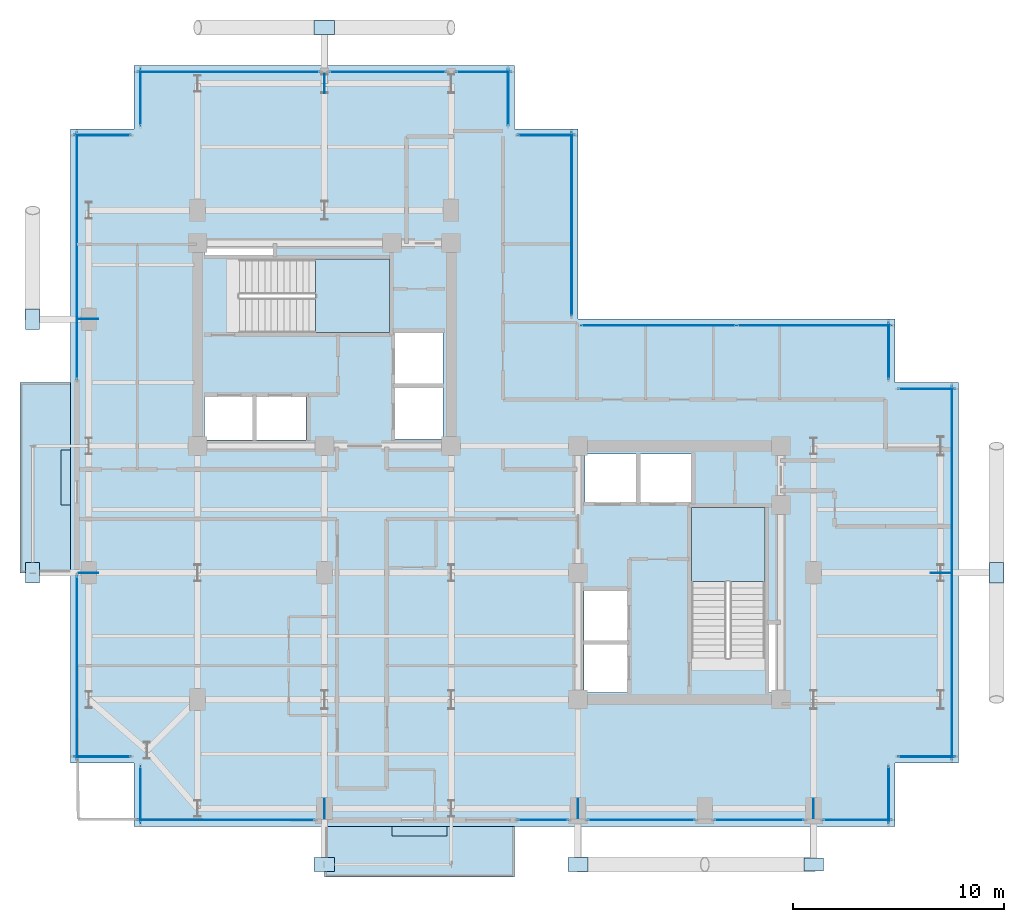
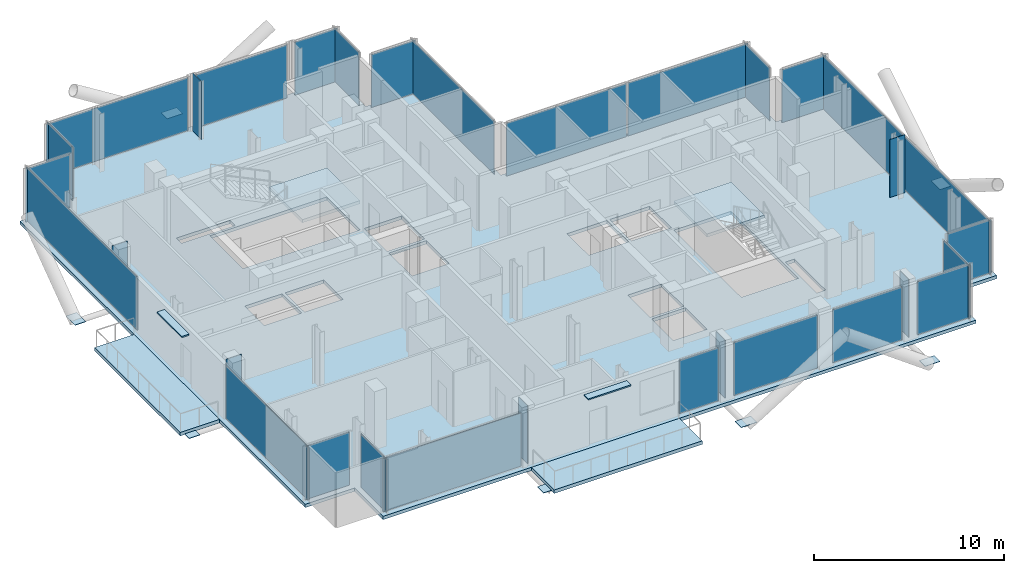
# One storey, part 15 of 21: 40 plates, 5 slabs, 25 elements without a shape of their own.
"""IFC4 building model written with IfcOpenShell, lengths in metres."""

from ifc_helpers import new_model, si_unit, direction, frame, origin, origin_2d, place, context, subcontext, project, spatial, polyline, rectangle, outline, extrude, material, layer, layer_set, type_object, element, aggregate, save


model = new_model("IFC4")

# Units and contexts
model_context = context("Model", 3, precision=1e-05, world=origin(), true_north=direction((0.0, 1.0)))
body_context = subcontext(model_context, "Body", "Model", "MODEL_VIEW")
ifc_project = project(units=[si_unit("LENGTHUNIT", "METRE"), si_unit("AREAUNIT", "SQUARE_METRE"), si_unit("VOLUMEUNIT", "CUBIC_METRE"), si_unit("PLANEANGLEUNIT", "RADIAN"), si_unit("MASSUNIT", "GRAM", prefix="KILO"), si_unit("THERMODYNAMICTEMPERATUREUNIT", "KELVIN"), si_unit("POWERUNIT", "WATT")], contexts=[model_context])

# Site, building, storey
site_placement = place(None, origin())
site = spatial("IfcSite", under=ifc_project, at=site_placement, CompositionType="ELEMENT")
building_placement = place(site_placement, origin())
building = spatial("IfcBuilding", under=site, at=building_placement, Name="Svarakhadi Broadcast Tower", CompositionType="ELEMENT")
storey_placement = place(building_placement, frame((0.0, 0.0, 208.64990234375)))
storey = spatial("IfcBuildingStorey", under=building, at=storey_placement, Name="L51", CompositionType="ELEMENT", Elevation=208.64990234375)

# Curtain wall, plate
ifc_material_1 = material(Name="Anodised Bronze Aluminium AA 6063-T6", Category="aluminium")
ifc_layer_1 = layer(ifc_material_1, 0.18994140625)
ifc_layer_set_1 = layer_set([ifc_layer_1], Name="Anodised Bronze Aluminium AA 6063-T6")
curtain_wall_type = type_object("IfcCurtainWallType", Name="CW_Sys_04", PredefinedType="NOTDEFINED", material=ifc_layer_set_1)
curtain_wall_1_placement = place(storey_placement, origin())
curtain_wall_1 = element("IfcCurtainWall", 1, at=curtain_wall_1_placement, inside=storey, type_object=curtain_wall_type, Name="L51 Unitised Facade Curtain Wall 01", PredefinedType="NOTDEFINED")
ifc_material_2 = material(Name="Double Low-E Laminated Acoustic Glass IGU 36 mm", Category="glass")
ifc_layer_2 = layer(ifc_material_2, 0.033935546875)
ifc_layer_set_2 = layer_set([ifc_layer_2], Name="Double Low-E Laminated Acoustic Glass IGU 36 mm")
plate_type_1 = type_object("IfcPlateType", Name="CW_Sys_04_Pnl", PredefinedType="CURTAIN_PANEL", material=ifc_layer_set_2)
plate_1_placement = place(storey_placement, frame((1.5, 3.300048828125, 0.06494140625), z_axis=(0.0, 0.0, 1.0), x_axis=(-1.0, 0.0, 0.0)))
plate_1 = element("IfcPlate", 2, at=plate_1_placement, type_object=plate_type_1, Name="CW-04 panel 1.1", PredefinedType="CURTAIN_PANEL", context=body_context, shape_type="SweptSolid", body=[
    extrude(rectangle(XDim=2.679931640625, YDim=0.033935546875, at=origin_2d()), origin(), (0.0, 0.0, 1.0), 3.409912109375),
])
aggregate(curtain_wall_1, [plate_1])

curtain_wall_2_placement = place(storey_placement, origin())
curtain_wall_2 = element("IfcCurtainWall", 3, at=curtain_wall_2_placement, inside=storey, type_object=curtain_wall_type, Name="L51 West Curtain Wall 02", PredefinedType="NOTDEFINED")
plate_2_placement = place(storey_placement, frame((0.300048828125, 7.5, 0.06494140625), z_axis=(0.0, 0.0, 1.0), x_axis=(0.0, 1.0, 0.0)))
plate_2 = element("IfcPlate", 4, at=plate_2_placement, type_object=plate_type_1, Name="CW-04 panel 1.1", PredefinedType="CURTAIN_PANEL", context=body_context, shape_type="SweptSolid", body=[
    extrude(rectangle(XDim=8.679931640625, YDim=0.033935546875, at=origin_2d()), origin(), (0.0, 0.0, 1.0), 3.409912109375),
])
aggregate(curtain_wall_2, [plate_2])

curtain_wall_3_placement = place(storey_placement, origin())
curtain_wall_3 = element("IfcCurtainWall", 5, at=curtain_wall_3_placement, inside=storey, type_object=curtain_wall_type, Name="L51 West Curtain Wall 03", PredefinedType="NOTDEFINED")
plate_3_placement = place(storey_placement, frame((0.300048828125, 27.0, 0.06494140625), z_axis=(0.0, 0.0, 1.0), x_axis=(0.0, 1.0, 0.0)))
plate_3 = element("IfcPlate", 6, at=plate_3_placement, type_object=plate_type_1, Name="CW-04 panel 1.1", PredefinedType="CURTAIN_PANEL", context=body_context, shape_type="SweptSolid", body=[
    extrude(rectangle(XDim=11.679931640625, YDim=0.033935546875, at=origin_2d()), origin(), (0.0, 0.0, 1.0), 3.409912109375),
])
aggregate(curtain_wall_3, [plate_3])

curtain_wall_4_placement = place(storey_placement, origin())
curtain_wall_4 = element("IfcCurtainWall", 7, at=curtain_wall_4_placement, inside=storey, type_object=curtain_wall_type, Name="L51 Unitised Facade Curtain Wall 04", PredefinedType="NOTDEFINED")
plate_4_placement = place(storey_placement, frame((1.5, 32.699951171875, 0.06494140625), z_axis=(0.0, 0.0, 1.0), x_axis=(1.0, 0.0, 0.0)))
plate_4 = element("IfcPlate", 8, at=plate_4_placement, type_object=plate_type_1, Name="CW-04 panel 1.1", PredefinedType="CURTAIN_PANEL", context=body_context, shape_type="SweptSolid", body=[
    extrude(rectangle(XDim=2.679931640625, YDim=0.033935546875, at=origin_2d()), origin(), (0.0, 0.0, 1.0), 3.409912109375),
])
aggregate(curtain_wall_4, [plate_4])

curtain_wall_5_placement = place(storey_placement, origin())
curtain_wall_5 = element("IfcCurtainWall", 9, at=curtain_wall_5_placement, inside=storey, type_object=curtain_wall_type, Name="L51 Unitised Facade Curtain Wall 05", PredefinedType="NOTDEFINED")
plate_5_placement = place(storey_placement, frame((3.300048828125, 34.5, 0.06494140625), z_axis=(0.0, 0.0, 1.0), x_axis=(0.0, 1.0, 0.0)))
plate_5 = element("IfcPlate", 10, at=plate_5_placement, type_object=plate_type_1, Name="CW-04 panel 1.1", PredefinedType="CURTAIN_PANEL", context=body_context, shape_type="SweptSolid", body=[
    extrude(rectangle(XDim=2.679931640625, YDim=0.033935546875, at=origin_2d()), origin(), (0.0, 0.0, 1.0), 3.409912109375),
])
aggregate(curtain_wall_5, [plate_5])

curtain_wall_6_placement = place(storey_placement, origin())
curtain_wall_6 = element("IfcCurtainWall", 11, at=curtain_wall_6_placement, inside=storey, type_object=curtain_wall_type, Name="L51 Unitised Facade Curtain Wall 06 Bay 1", PredefinedType="NOTDEFINED")
plate_6_placement = place(storey_placement, frame((7.4599609375, 35.699951171875, 0.06494140625), z_axis=(0.0, 0.0, 1.0), x_axis=(1.0, 0.0, 0.0)))
plate_6 = element("IfcPlate", 12, at=plate_6_placement, type_object=plate_type_1, Name="CW-04 panel 1.1", PredefinedType="CURTAIN_PANEL", context=body_context, shape_type="SweptSolid", body=[
    extrude(rectangle(XDim=8.60009765625, YDim=0.033935546875, at=origin_2d()), origin(), (0.0, 0.0, 1.0), 3.409912109375),
])
aggregate(curtain_wall_6, [plate_6])

curtain_wall_7_placement = place(storey_placement, origin())
curtain_wall_7 = element("IfcCurtainWall", 13, at=curtain_wall_7_placement, inside=storey, type_object=curtain_wall_type, Name="L51 Unitised Facade Curtain Wall 06 Bay 2", PredefinedType="NOTDEFINED")
plate_7_placement = place(storey_placement, frame((15.0, 35.699951171875, 0.06494140625), z_axis=(0.0, 0.0, 1.0), x_axis=(1.0, 0.0, 0.0)))
plate_7 = element("IfcPlate", 14, at=plate_7_placement, type_object=plate_type_1, Name="CW-04 panel 1.1", PredefinedType="CURTAIN_PANEL", context=body_context, shape_type="SweptSolid", body=[
    extrude(rectangle(XDim=5.52001953125, YDim=0.033935546875, at=origin_2d()), origin(), (0.0, 0.0, 1.0), 3.409912109375),
])
aggregate(curtain_wall_7, [plate_7])

curtain_wall_8_placement = place(storey_placement, origin())
curtain_wall_8 = element("IfcCurtainWall", 15, at=curtain_wall_8_placement, inside=storey, type_object=curtain_wall_type, Name="L51 Unitised Facade Curtain Wall 06 Bay 3", PredefinedType="NOTDEFINED")
plate_8_placement = place(storey_placement, frame((19.5400390625, 35.699951171875, 0.06494140625), z_axis=(0.0, 0.0, 1.0), x_axis=(1.0, 0.0, 0.0)))
plate_8 = element("IfcPlate", 16, at=plate_8_placement, type_object=plate_type_1, Name="CW-04 panel 1.1", PredefinedType="CURTAIN_PANEL", context=body_context, shape_type="SweptSolid", body=[
    extrude(rectangle(XDim=2.60009765625, YDim=0.033935546875, at=origin_2d()), origin(), (0.0, 0.0, 1.0), 3.409912109375),
])
aggregate(curtain_wall_8, [plate_8])

curtain_wall_9_placement = place(storey_placement, origin())
curtain_wall_9 = element("IfcCurtainWall", 17, at=curtain_wall_9_placement, inside=storey, type_object=curtain_wall_type, Name="L51 Unitised Facade Curtain Wall 07", PredefinedType="NOTDEFINED")
plate_9_placement = place(storey_placement, frame((20.699951171875, 34.5, 0.06494140625), z_axis=(0.0, 0.0, 1.0), x_axis=(0.0, -1.0, 0.0)))
plate_9 = element("IfcPlate", 18, at=plate_9_placement, type_object=plate_type_1, Name="CW-04 panel 1.1", PredefinedType="CURTAIN_PANEL", context=body_context, shape_type="SweptSolid", body=[
    extrude(rectangle(XDim=2.679931640625, YDim=0.033935546875, at=origin_2d()), origin(), (0.0, 0.0, 1.0), 3.409912109375),
])
aggregate(curtain_wall_9, [plate_9])

curtain_wall_10_placement = place(storey_placement, origin())
curtain_wall_10 = element("IfcCurtainWall", 19, at=curtain_wall_10_placement, inside=storey, type_object=curtain_wall_type, Name="L51 Unitised Facade Curtain Wall 08", PredefinedType="NOTDEFINED")
plate_10_placement = place(storey_placement, frame((22.5, 32.699951171875, 0.06494140625), z_axis=(0.0, 0.0, 1.0), x_axis=(1.0, 0.0, 0.0)))
plate_10 = element("IfcPlate", 20, at=plate_10_placement, type_object=plate_type_1, Name="CW-04 panel 1.1", PredefinedType="CURTAIN_PANEL", context=body_context, shape_type="SweptSolid", body=[
    extrude(rectangle(XDim=2.679931640625, YDim=0.033935546875, at=origin_2d()), origin(), (0.0, 0.0, 1.0), 3.409912109375),
])
aggregate(curtain_wall_10, [plate_10])

curtain_wall_11_placement = place(storey_placement, origin())
curtain_wall_11 = element("IfcCurtainWall", 21, at=curtain_wall_11_placement, inside=storey, type_object=curtain_wall_type, Name="L51 Unitised Facade Curtain Wall 09", PredefinedType="NOTDEFINED")
plate_11_placement = place(storey_placement, frame((23.699951171875, 28.5, 0.06494140625), z_axis=(0.0, 0.0, 1.0), x_axis=(0.0, -1.0, 0.0)))
plate_11 = element("IfcPlate", 22, at=plate_11_placement, type_object=plate_type_1, Name="CW-04 panel 1.1", PredefinedType="CURTAIN_PANEL", context=body_context, shape_type="SweptSolid", body=[
    extrude(rectangle(XDim=8.679931640625, YDim=0.033935546875, at=origin_2d()), origin(), (0.0, 0.0, 1.0), 3.409912109375),
])
aggregate(curtain_wall_11, [plate_11])

# Curtain wall, plates
curtain_wall_12_placement = place(storey_placement, origin())
curtain_wall_12 = element("IfcCurtainWall", 23, at=curtain_wall_12_placement, inside=storey, type_object=curtain_wall_type, Name="L51 Unitised Facade Curtain Wall 10", PredefinedType="NOTDEFINED")
plate_12_placement = place(storey_placement, frame((27.8125, 23.699951171875, 0.06494140625), z_axis=(0.0, 0.0, 1.0), x_axis=(1.0, 0.0, 0.0)))
plate_12 = element("IfcPlate", 24, at=plate_12_placement, type_object=plate_type_1, Name="CW-04 panel 1.1", PredefinedType="CURTAIN_PANEL", context=body_context, shape_type="SweptSolid", body=[
    extrude(rectangle(XDim=7.304931640625, YDim=0.033935546875, at=origin_2d()), origin(), (0.0, 0.0, 1.0), 3.409912109375),
])
plate_13_placement = place(storey_placement, frame((35.1875, 23.699951171875, 0.06494140625), z_axis=(0.0, 0.0, 1.0), x_axis=(1.0, 0.0, 0.0)))
plate_13 = element("IfcPlate", 25, at=plate_13_placement, type_object=plate_type_1, Name="CW-04 panel 2.1", PredefinedType="CURTAIN_PANEL", context=body_context, shape_type="SweptSolid", body=[
    extrude(rectangle(XDim=7.304931640625, YDim=0.033935546875, at=origin_2d()), origin(), (0.0, 0.0, 1.0), 3.409912109375),
])
aggregate(curtain_wall_12, [plate_12, plate_13])

# Curtain wall, plate
curtain_wall_13_placement = place(storey_placement, origin())
curtain_wall_13 = element("IfcCurtainWall", 26, at=curtain_wall_13_placement, inside=storey, type_object=curtain_wall_type, Name="L51 Unitised Facade Curtain Wall 11", PredefinedType="NOTDEFINED")
plate_14_placement = place(storey_placement, frame((38.699951171875, 22.5, 0.06494140625), z_axis=(0.0, 0.0, 1.0), x_axis=(0.0, -1.0, 0.0)))
plate_14 = element("IfcPlate", 27, at=plate_14_placement, type_object=plate_type_1, Name="CW-04 panel 1.1", PredefinedType="CURTAIN_PANEL", context=body_context, shape_type="SweptSolid", body=[
    extrude(rectangle(XDim=2.679931640625, YDim=0.033935546875, at=origin_2d()), origin(), (0.0, 0.0, 1.0), 3.409912109375),
])
aggregate(curtain_wall_13, [plate_14])

curtain_wall_14_placement = place(storey_placement, origin())
curtain_wall_14 = element("IfcCurtainWall", 28, at=curtain_wall_14_placement, inside=storey, type_object=curtain_wall_type, Name="L51 Unitised Facade Curtain Wall 12", PredefinedType="NOTDEFINED")
plate_15_placement = place(storey_placement, frame((40.5, 20.699951171875, 0.06494140625), z_axis=(0.0, 0.0, 1.0), x_axis=(1.0, 0.0, 0.0)))
plate_15 = element("IfcPlate", 29, at=plate_15_placement, type_object=plate_type_1, Name="CW-04 panel 1.1", PredefinedType="CURTAIN_PANEL", context=body_context, shape_type="SweptSolid", body=[
    extrude(rectangle(XDim=2.679931640625, YDim=0.033935546875, at=origin_2d()), origin(), (0.0, 0.0, 1.0), 3.409912109375),
])
aggregate(curtain_wall_14, [plate_15])

curtain_wall_15_placement = place(storey_placement, origin())
curtain_wall_15 = element("IfcCurtainWall", 30, at=curtain_wall_15_placement, inside=storey, type_object=curtain_wall_type, Name="L51 Unitised Facade Curtain Wall 13", PredefinedType="NOTDEFINED")
plate_16_placement = place(storey_placement, frame((41.699951171875, 12.0, 0.06494140625), z_axis=(0.0, 0.0, 1.0), x_axis=(0.0, -1.0, 0.0)))
plate_16 = element("IfcPlate", 31, at=plate_16_placement, type_object=plate_type_1, Name="CW-04 panel 1.1", PredefinedType="CURTAIN_PANEL", context=body_context, shape_type="SweptSolid", body=[
    extrude(rectangle(XDim=17.679931640625, YDim=0.033935546875, at=origin_2d()), origin(), (0.0, 0.0, 1.0), 3.409912109375),
])
aggregate(curtain_wall_15, [plate_16])

curtain_wall_16_placement = place(storey_placement, origin())
curtain_wall_16 = element("IfcCurtainWall", 32, at=curtain_wall_16_placement, inside=storey, type_object=curtain_wall_type, Name="L51 Unitised Facade Curtain Wall 14", PredefinedType="NOTDEFINED")
plate_17_placement = place(storey_placement, frame((40.5, 3.300048828125, 0.06494140625), z_axis=(0.0, 0.0, 1.0), x_axis=(-1.0, 0.0, 0.0)))
plate_17 = element("IfcPlate", 33, at=plate_17_placement, type_object=plate_type_1, Name="CW-04 panel 1.1", PredefinedType="CURTAIN_PANEL", context=body_context, shape_type="SweptSolid", body=[
    extrude(rectangle(XDim=2.679931640625, YDim=0.033935546875, at=origin_2d()), origin(), (0.0, 0.0, 1.0), 3.409912109375),
])
aggregate(curtain_wall_16, [plate_17])

curtain_wall_17_placement = place(storey_placement, origin())
curtain_wall_17 = element("IfcCurtainWall", 34, at=curtain_wall_17_placement, inside=storey, type_object=curtain_wall_type, Name="L51 Unitised Facade Curtain Wall 15", PredefinedType="NOTDEFINED")
plate_18_placement = place(storey_placement, frame((38.699951171875, 1.5, 0.06494140625), z_axis=(0.0, 0.0, 1.0), x_axis=(0.0, -1.0, 0.0)))
plate_18 = element("IfcPlate", 35, at=plate_18_placement, type_object=plate_type_1, Name="CW-04 panel 1.1", PredefinedType="CURTAIN_PANEL", context=body_context, shape_type="SweptSolid", body=[
    extrude(rectangle(XDim=2.679931640625, YDim=0.033935546875, at=origin_2d()), origin(), (0.0, 0.0, 1.0), 3.409912109375),
])
aggregate(curtain_wall_17, [plate_18])

curtain_wall_18_placement = place(storey_placement, origin())
curtain_wall_18 = element("IfcCurtainWall", 36, at=curtain_wall_18_placement, inside=storey, type_object=curtain_wall_type, Name="L51 South Curtain Wall 16 Bay 1", PredefinedType="NOTDEFINED")
plate_19_placement = place(storey_placement, frame((37.2275390625, 0.300048828125, 0.06494140625), z_axis=(0.0, 0.0, 1.0), x_axis=(-1.0, 0.0, 0.0)))
plate_19 = element("IfcPlate", 37, at=plate_19_placement, type_object=plate_type_1, Name="CW-04 panel 1.1", PredefinedType="CURTAIN_PANEL", context=body_context, shape_type="SweptSolid", body=[
    extrude(rectangle(XDim=3.22509765625, YDim=0.033935546875, at=origin_2d()), origin(), (0.0, 0.0, 1.0), 3.409912109375),
])
aggregate(curtain_wall_18, [plate_19])

curtain_wall_19_placement = place(storey_placement, origin())
curtain_wall_19 = element("IfcCurtainWall", 38, at=curtain_wall_19_placement, inside=storey, type_object=curtain_wall_type, Name="L51 South Curtain Wall 16 Bay 2", PredefinedType="NOTDEFINED")
plate_20_placement = place(storey_placement, frame((32.574951171875, 0.300048828125, 0.06494140625), z_axis=(0.0, 0.0, 1.0), x_axis=(-1.0, 0.0, 0.0)))
plate_20 = element("IfcPlate", 39, at=plate_20_placement, type_object=plate_type_1, Name="CW-04 panel 1.1", PredefinedType="CURTAIN_PANEL", context=body_context, shape_type="SweptSolid", body=[
    extrude(rectangle(XDim=4.219970703125, YDim=0.033935546875, at=origin_2d()), origin(), (0.0, 0.0, 1.0), 3.409912109375),
])
aggregate(curtain_wall_19, [plate_20])

curtain_wall_20_placement = place(storey_placement, origin())
curtain_wall_20 = element("IfcCurtainWall", 40, at=curtain_wall_20_placement, inside=storey, type_object=curtain_wall_type, Name="L51 South Curtain Wall 16 Bay 3", PredefinedType="NOTDEFINED")
plate_21_placement = place(storey_placement, frame((27.0, 0.300048828125, 0.06494140625), z_axis=(0.0, 0.0, 1.0), x_axis=(-1.0, 0.0, 0.0)))
plate_21 = element("IfcPlate", 41, at=plate_21_placement, type_object=plate_type_1, Name="CW-04 panel 1.1", PredefinedType="CURTAIN_PANEL", context=body_context, shape_type="SweptSolid", body=[
    extrude(rectangle(XDim=5.070068359375, YDim=0.033935546875, at=origin_2d()), origin(), (0.0, 0.0, 1.0), 3.409912109375),
])
aggregate(curtain_wall_20, [plate_21])

curtain_wall_21_placement = place(storey_placement, origin())
curtain_wall_21 = element("IfcCurtainWall", 42, at=curtain_wall_21_placement, inside=storey, type_object=curtain_wall_type, Name="L51 South Curtain Wall 16 Bay 4", PredefinedType="NOTDEFINED")
plate_22_placement = place(storey_placement, frame((22.347412109375, 0.300048828125, 0.06494140625), z_axis=(0.0, 0.0, 1.0), x_axis=(-1.0, 0.0, 0.0)))
plate_22 = element("IfcPlate", 43, at=plate_22_placement, type_object=plate_type_1, Name="CW-04 panel 1.1", PredefinedType="CURTAIN_PANEL", context=body_context, shape_type="SweptSolid", body=[
    extrude(rectangle(XDim=2.375, YDim=0.033935546875, at=origin_2d()), origin(), (0.0, 0.0, 1.0), 3.409912109375),
])
aggregate(curtain_wall_21, [plate_22])

curtain_wall_22_placement = place(storey_placement, origin())
curtain_wall_22 = element("IfcCurtainWall", 44, at=curtain_wall_22_placement, inside=storey, type_object=curtain_wall_type, Name="L51 South Curtain Wall 17", PredefinedType="NOTDEFINED")
plate_23_placement = place(storey_placement, frame((7.347412109375, 0.300048828125, 0.06494140625), z_axis=(0.0, 0.0, 1.0), x_axis=(-1.0, 0.0, 0.0)))
plate_23 = element("IfcPlate", 45, at=plate_23_placement, type_object=plate_type_1, Name="CW-04 panel 1.1", PredefinedType="CURTAIN_PANEL", context=body_context, shape_type="SweptSolid", body=[
    extrude(rectangle(XDim=8.375, YDim=0.033935546875, at=origin_2d()), origin(), (0.0, 0.0, 1.0), 3.409912109375),
])
aggregate(curtain_wall_22, [plate_23])

curtain_wall_23_placement = place(storey_placement, origin())
curtain_wall_23 = element("IfcCurtainWall", 46, at=curtain_wall_23_placement, inside=storey, type_object=curtain_wall_type, Name="L51 Unitised Facade Curtain Wall 18", PredefinedType="NOTDEFINED")
plate_24_placement = place(storey_placement, frame((3.300048828125, 1.5, 0.06494140625), z_axis=(0.0, 0.0, 1.0), x_axis=(0.0, 1.0, 0.0)))
plate_24 = element("IfcPlate", 47, at=plate_24_placement, type_object=plate_type_1, Name="CW-04 panel 1.1", PredefinedType="CURTAIN_PANEL", context=body_context, shape_type="SweptSolid", body=[
    extrude(rectangle(XDim=2.679931640625, YDim=0.033935546875, at=origin_2d()), origin(), (0.0, 0.0, 1.0), 3.409912109375),
])
aggregate(curtain_wall_23, [plate_24])

# Plates
ifc_material_3 = material(Name="Steel S460ML (IS 2062 E450BR)", Category="steel")
ifc_layer_3 = layer(ifc_material_3, 0.028076171875)
ifc_layer_set_3 = layer_set([ifc_layer_3], Name="Steel S460ML (IS 2062 E450BR)")
plate_type_2 = type_object("IfcPlateType", Name="Node_Gusset_N03", PredefinedType="SHEET", material=ifc_layer_set_3)
for number, where, z_axis, x_axis, name in (
    (48, (12.0, -1.800048828125, -0.2099609375), (0.0, 0.0, 1.0), (1.0, 0.0, 0.0), "L51 Exoskeleton Gusset Node Plate S01"),
    (49, (24.0, -1.800048828125, -0.2099609375), (0.0, 0.0, 1.0), (1.0, 0.0, 0.0), "L51 Exoskeleton Gusset Node Plate S02"),
    (50, (-1.800048828125, 12.0, -0.2099609375), (0.0, 0.0, 1.0), (0.0, 1.0, 0.0), "L51 Exoskeleton Gusset Node Plate W04"),
    (51, (-1.800048828125, 24.0, -0.2099609375), (0.0, 0.0, 1.0), (0.0, 1.0, 0.0), "L51 Exoskeleton Gusset Node Plate W05"),
    (52, (43.800048828125, 12.0, -0.2099609375), (0.0, 0.0, 1.0), (0.0, 1.0, 0.0), "L51 Exoskeleton Gusset Node Plate E06"),
    (53, (12.0, 37.800048828125, -0.2099609375), (0.0, 0.0, 1.0), (1.0, 0.0, 0.0), "L51 Exoskeleton Gusset Node Plate N07"),
):
    element("IfcPlate", number, at=place(storey_placement, frame(where, z_axis=z_axis, x_axis=x_axis)), inside=storey, type_object=plate_type_2, Name=name, PredefinedType="SHEET", context=body_context, shape_type="SweptSolid", body=[
        extrude(rectangle(XDim=0.9599609375, YDim=0.659912109375, at=origin_2d()), origin(), (0.0, 0.0, 1.0), 0.028076171875),
    ])
ifc_layer_4 = layer(ifc_material_3, 0.02587890625)
ifc_layer_set_4 = layer_set([ifc_layer_4], Name="Steel S460ML (IS 2062 E450BR)")
plate_type_3 = type_object("IfcPlateType", Name="Node_Gusset_N07", PredefinedType="SHEET", material=ifc_layer_set_4)
plate_25_placement = place(storey_placement, frame((35.14990234375, -1.800048828125, -0.2099609375), z_axis=(0.0, 0.0, 1.0), x_axis=(1.0, 0.0, 0.0)))
element("IfcPlate", 54, at=plate_25_placement, inside=storey, type_object=plate_type_3, Name="L51 Exoskeleton Gusset Node Plate S03", PredefinedType="SHEET", context=body_context, shape_type="SweptSolid", body=[
    extrude(rectangle(XDim=0.919921875, YDim=0.6201171875, at=origin_2d()), origin(), (0.0, 0.0, 1.0), 0.02587890625),
])
for number, where, z_axis, x_axis, name in (
    (55, (12.0, 0.85009765625, -0.57177734375), (0.0, 0.0, 1.0), (0.0, 1.0, 0.0), "L51 Brace End Connection Gusset Plate N-07-E0417"),
    (56, (24.0, 0.85009765625, -0.57177734375), (0.0, 0.0, 1.0), (0.0, 1.0, 0.0), "L51 Brace End Connection Gusset Plate N-07-E0418"),
    (57, (35.14990234375, 0.85009765625, -0.57177734375), (0.0, 0.0, 1.0), (0.0, 1.0, 0.0), "L51 Brace End Connection Gusset Plate N-07-E0419"),
    (58, (0.85009765625, 12.0, -0.57177734375), (0.0, 0.0, 1.0), (1.0, 0.0, 0.0), "L51 Brace End Connection Gusset Plate N-07-E0420"),
    (59, (0.85009765625, 24.0, -0.57177734375), (0.0, 0.0, 1.0), (1.0, 0.0, 0.0), "L51 Brace End Connection Gusset Plate N-07-E0421"),
    (60, (41.14990234375, 12.0, -0.57177734375), (0.0, 0.0, 1.0), (1.0, 0.0, 0.0), "L51 Brace End Connection Gusset Plate N-07-E0422"),
    (61, (12.0, 35.14990234375, -0.57177734375), (0.0, 0.0, 1.0), (0.0, 1.0, 0.0), "L51 Brace End Connection Gusset Plate N-07-E0423"),
):
    element("IfcPlate", number, at=place(storey_placement, frame(where, z_axis=z_axis, x_axis=x_axis)), inside=storey, type_object=plate_type_3, Name=name, PredefinedType="SHEET", context=body_context, shape_type="SweptSolid", body=[
        extrude(rectangle(XDim=0.919921875, YDim=0.02587890625, at=origin_2d()), origin(), (0.0, 0.0, 1.0), 4.300048828125),
    ])

# Slab
ifc_material_4 = material(Name="Concrete C40/50 (IS 456 M50)", Category="concrete")
ifc_layer_5 = layer(ifc_material_4, 0.2099609375)
ifc_layer_set_5 = layer_set([ifc_layer_5], Name="Concrete C40/50 (IS 456 M50)")
slab_type_1 = type_object("IfcSlabType", Name="Slab_Floor_210", PredefinedType="FLOOR", material=ifc_layer_set_5)
slab_1_placement = place(storey_placement, frame((0.0, 0.0, -0.2099609375)))
element("IfcSlab", 62, at=slab_1_placement, inside=storey, type_object=slab_type_1, Name="L51 Structural Floor Slab", PredefinedType="FLOOR", context=body_context, shape_type="SweptSolid", body=[
    extrude(outline(polyline([(3.0, 0.0), (39.0, 0.0), (39.0, 3.0), (42.0, 3.0), (42.0, 21.0), (39.0, 21.0), (39.0, 24.0), (24.0, 24.0), (24.0, 33.0), (21.0, 33.0), (21.0, 36.0), (3.0, 36.0), (3.0, 33.0), (0.0, 33.0), (0.0, 3.0), (3.0, 3.0), (3.0, 0.0)]), holes=[polyline([(7.97998046875, 23.360107421875), (15.080078125, 23.360107421875), (15.080078125, 26.840087890625), (7.97998046875, 26.840087890625), (7.97998046875, 23.360107421875)]), polyline([(32.840087890625, 7.97998046875), (32.840087890625, 15.080078125), (29.360107421875, 15.080078125), (29.360107421875, 7.97998046875), (32.840087890625, 7.97998046875)]), polyline([(6.340087890625, 18.2900390625), (8.610107421875, 18.2900390625), (8.610107421875, 20.330078125), (6.340087890625, 20.330078125), (6.340087890625, 18.2900390625)]), polyline([(8.7900390625, 18.2900390625), (11.1298828125, 18.2900390625), (11.1298828125, 20.330078125), (8.7900390625, 20.330078125), (8.7900390625, 18.2900390625)]), polyline([(24.2900390625, 6.340087890625), (26.330078125, 6.340087890625), (26.330078125, 8.610107421875), (24.2900390625, 8.610107421875), (24.2900390625, 6.340087890625)]), polyline([(24.2900390625, 8.7900390625), (26.330078125, 8.7900390625), (26.330078125, 11.1298828125), (24.2900390625, 11.1298828125), (24.2900390625, 8.7900390625)]), polyline([(6.340087890625, 26.989990234375), (9.610107421875, 26.989990234375), (9.610107421875, 27.530029296875), (6.340087890625, 27.530029296875), (6.340087890625, 26.989990234375)]), polyline([(32.989990234375, 6.340087890625), (33.530029296875, 6.340087890625), (33.530029296875, 9.610107421875), (32.989990234375, 9.610107421875), (32.989990234375, 6.340087890625)]), polyline([(15.340087890625, 18.340087890625), (17.610107421875, 18.340087890625), (17.610107421875, 20.760009765625), (15.340087890625, 20.760009765625), (15.340087890625, 18.340087890625)]), polyline([(15.340087890625, 20.93994140625), (17.610107421875, 20.93994140625), (17.610107421875, 23.360107421875), (15.340087890625, 23.360107421875), (15.340087890625, 20.93994140625)]), polyline([(24.340087890625, 15.340087890625), (26.760009765625, 15.340087890625), (26.760009765625, 17.610107421875), (24.340087890625, 17.610107421875), (24.340087890625, 15.340087890625)]), polyline([(26.93994140625, 15.340087890625), (29.360107421875, 15.340087890625), (29.360107421875, 17.610107421875), (26.93994140625, 17.610107421875), (26.93994140625, 15.340087890625)])]), origin(), (0.0, 0.0, 1.0), 0.2099609375),
])

# Stair, slab
stair_type = type_object("IfcStairType", Name="Stair_Exit_Core", PredefinedType="HALF_TURN_STAIR", material=ifc_material_4)
stair_1_placement = place(storey_placement, origin())
stair_1 = element("IfcStair", 63, at=stair_1_placement, inside=storey, type_object=stair_type, Name="L51 West Core Protected Exit Stair ST-01", PredefinedType="HALF_TURN_STAIR")
ifc_layer_6 = layer(ifc_material_4, 0.199951171875)
ifc_layer_set_6 = layer_set([ifc_layer_6], Name="Concrete C40/50 (IS 456 M50)")
slab_type_2 = type_object("IfcSlabType", Name="Slab_Stair_Land", PredefinedType="LANDING", material=ifc_layer_set_6)
slab_2_placement = place(storey_placement, frame((0.0, 0.0, 1.675048828125)))
slab_2 = element("IfcSlab", 64, at=slab_2_placement, type_object=slab_type_2, Name="ST-01 landing 1", PredefinedType="LANDING", context=body_context, shape_type="SweptSolid", body=[
    extrude(outline(polyline([(11.580078125, 23.360107421875), (15.080078125, 23.360107421875), (15.080078125, 26.840087890625), (11.580078125, 26.840087890625), (11.580078125, 23.360107421875)])), origin(), (0.0, 0.0, 1.0), 0.199951171875),
])
aggregate(stair_1, [slab_2])

stair_2_placement = place(storey_placement, origin())
stair_2 = element("IfcStair", 65, at=stair_2_placement, inside=storey, type_object=stair_type, Name="L51 East Core Protected Exit Stair ST-02", PredefinedType="HALF_TURN_STAIR")
slab_3_placement = place(storey_placement, frame((0.0, 0.0, 1.675048828125)))
slab_3 = element("IfcSlab", 66, at=slab_3_placement, type_object=slab_type_2, Name="ST-02 landing 1", PredefinedType="LANDING", context=body_context, shape_type="SweptSolid", body=[
    extrude(outline(polyline([(32.840087890625, 11.580078125), (32.840087890625, 15.080078125), (29.360107421875, 15.080078125), (29.360107421875, 11.580078125), (32.840087890625, 11.580078125)])), origin(), (0.0, 0.0, 1.0), 0.199951171875),
])
aggregate(stair_2, [slab_3])

# Slabs
ifc_layer_7 = layer(ifc_material_4, 0.22509765625)
ifc_layer_set_7 = layer_set([ifc_layer_7], Name="Concrete C40/50 (IS 456 M50)")
slab_type_3 = type_object("IfcSlabType", Name="Slab_TreeBalcony", PredefinedType="FLOOR", material=ifc_layer_set_7)
slab_4_placement = place(storey_placement, frame((0.0, 0.0, -0.224853515625)))
element("IfcSlab", 67, at=slab_4_placement, inside=storey, type_object=slab_type_3, Name="L51 Planted Tree Balcony Slab BAL-S", PredefinedType="FLOOR", context=body_context, shape_type="SweptSolid", body=[
    extrude(outline(polyline([(12.0, -2.39990234375), (21.0, -2.39990234375), (21.0, 0.0), (12.0, 0.0), (12.0, -2.39990234375)])), origin(), (0.0, 0.0, 1.0), 0.224853515625),
])
slab_5_placement = place(storey_placement, frame((0.0, 0.0, -0.224853515625)))
element("IfcSlab", 68, at=slab_5_placement, inside=storey, type_object=slab_type_3, Name="L51 Planted Tree Balcony Slab BAL-W", PredefinedType="FLOOR", context=body_context, shape_type="SweptSolid", body=[
    extrude(outline(polyline([(-2.39990234375, 12.0), (0.0, 12.0), (0.0, 21.0), (-2.39990234375, 21.0), (-2.39990234375, 12.0)])), origin(), (0.0, 0.0, 1.0), 0.224853515625),
])

# Plates
ifc_layer_8 = layer(ifc_material_1, 0.080078125)
ifc_layer_set_8 = layer_set([ifc_layer_8], Name="Anodised Bronze Aluminium AA 6063-T6")
plate_type_4 = type_object("IfcPlateType", Name="Sunshade_Fin_SS01", PredefinedType="USERDEFINED", material=ifc_layer_set_8)
for number, where, z_axis, x_axis, name in (
    (69, (16.5, -0.22509765625, 3.4599609375), (0.0, 0.0, 1.0), (1.0, 0.0, 0.0), "L51 South Bronze Brise-Soleil Sunshade SS-01"),
    (70, (-0.22509765625, 16.5, 3.4599609375), (0.0, 0.0, 1.0), (0.0, 1.0, 0.0), "L51 West Bronze Brise-Soleil Sunshade SS-01"),
):
    element("IfcPlate", number, at=place(storey_placement, frame(where, z_axis=z_axis, x_axis=x_axis)), inside=storey, type_object=plate_type_4, Name=name, ObjectType="SUNSHADE", PredefinedType="USERDEFINED", context=body_context, shape_type="SweptSolid", body=[
        extrude(rectangle(XDim=2.60009765625, YDim=0.449951171875, at=origin_2d()), origin(), (0.0, 0.0, 1.0), 0.080078125),
    ])

save(model, "model.ifc")
